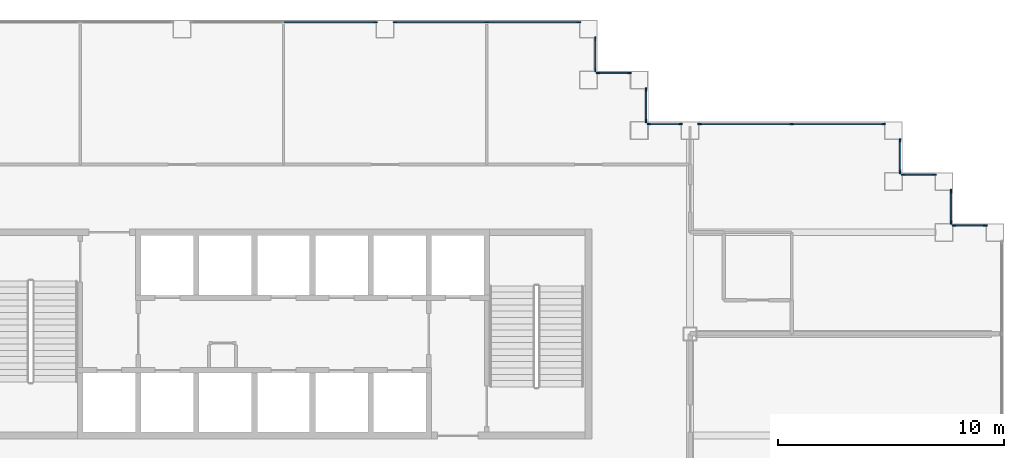
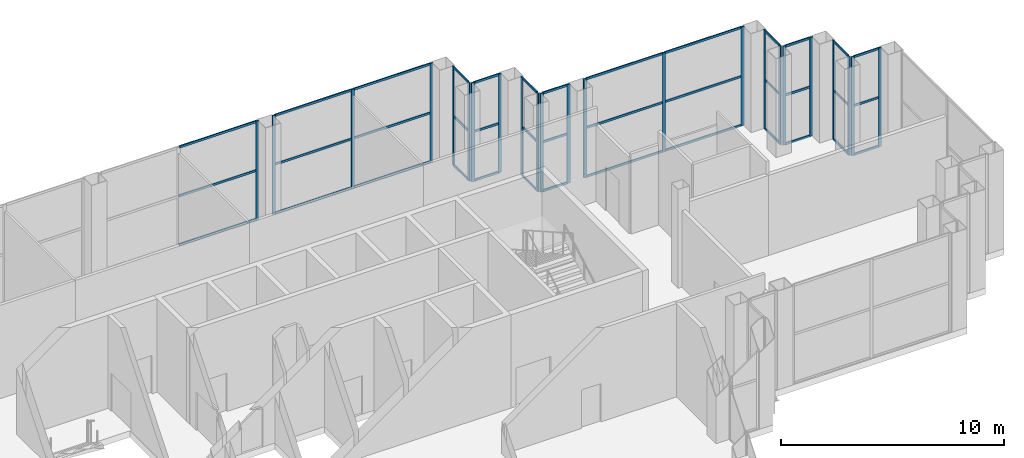
# One storey, part 8 of 18: 62 members, 11 elements without a shape of their own.
"""IFC4 building model written with IfcOpenShell, lengths in metres."""

from ifc_helpers import new_model, si_unit, direction, frame, origin, origin_2d, place, context, subcontext, project, spatial, rectangle, extrude, material, layer, layer_set, material_profile, profile_set, type_object, element, aggregate, save


model = new_model("IFC4")

# Units and contexts
model_context = context("Model", 3, precision=1e-05, world=origin(), true_north=direction((0.0, 1.0)))
body_context = subcontext(model_context, "Body", "Model", "MODEL_VIEW")
ifc_project = project(units=[si_unit("LENGTHUNIT", "METRE"), si_unit("AREAUNIT", "SQUARE_METRE"), si_unit("VOLUMEUNIT", "CUBIC_METRE"), si_unit("PLANEANGLEUNIT", "RADIAN"), si_unit("MASSUNIT", "GRAM", prefix="KILO")], contexts=[model_context])

# Site, building, storey
site_placement = place(None, origin())
site = spatial("IfcSite", under=ifc_project, at=site_placement, CompositionType="ELEMENT")
building_placement = place(site_placement, origin())
building = spatial("IfcBuilding", under=site, at=building_placement, Name="Caravel Reach Hotel and Residences", CompositionType="ELEMENT")
storey_placement = place(building_placement, frame((0.0, 0.0, 145.199951171875)))
storey = spatial("IfcBuildingStorey", under=building, at=storey_placement, Name="L36", CompositionType="ELEMENT", Elevation=145.199951171875)

# Curtain wall, members
ifc_material_1 = material(Name="Dark low-e glazing in black aluminium frame", Category="aluminium")
ifc_layer = layer(ifc_material_1, 0.199951171875)
ifc_layer_set = layer_set([ifc_layer], Name="CW2 Sky lobby glazing")
curtain_wall_type = type_object("IfcCurtainWallType", Name="CW2 Sky lobby glazing", PredefinedType="NOTDEFINED", material=ifc_layer_set)
curtain_wall_1_placement = place(storey_placement, origin())
curtain_wall_1 = element("IfcCurtainWall", 1, at=curtain_wall_1_placement, inside=storey, type_object=curtain_wall_type, Name="Sky lobby glazing b0", PredefinedType="NOTDEFINED")
ifc_material_2 = material(Name="Anodised aluminium alloy 6063-T5, black", Category="aluminium")
ifc_material_profile_1 = material_profile(ifc_material_2, rectangle(XDim=0.06005859375, YDim=0.159912109375, at=origin_2d()), Name="CW mullion 60 x 160")
ifc_profile_set_1 = profile_set([ifc_material_profile_1], Name="Anodised aluminium alloy 6063-T5, black")
member_type_1 = type_object("IfcMemberType", Name="CW mullion 60 x 160", PredefinedType="MULLION", material=ifc_profile_set_1)
member_1_placement = place(storey_placement, frame((62.570068359375, 31.800048828125, 0.0), z_axis=(0.0, 0.0, 1.0), x_axis=(0.0, -1.0, 0.0)))
member_1 = element("IfcMember", 2, at=member_1_placement, type_object=member_type_1, Name="CW2 mullion 1", PredefinedType="MULLION", context=body_context, shape_type="SweptSolid", body=[
    extrude(rectangle(XDim=0.06005859375, YDim=0.159912109375, at=origin_2d()), origin(), (0.0, 0.0, 1.0), 5.400146484375),
])
member_2_placement = place(storey_placement, frame((61.179931640625, 31.800048828125, 0.0), z_axis=(0.0, 0.0, 1.0), x_axis=(0.0, -1.0, 0.0)))
member_2 = element("IfcMember", 3, at=member_2_placement, type_object=member_type_1, Name="CW2 mullion 2", PredefinedType="MULLION", context=body_context, shape_type="SweptSolid", body=[
    extrude(rectangle(XDim=0.06005859375, YDim=0.159912109375, at=origin_2d()), origin(), (0.0, 0.0, 1.0), 5.400146484375),
])

curtain_wall_2_placement = place(storey_placement, origin())
curtain_wall_2 = element("IfcCurtainWall", 4, at=curtain_wall_2_placement, inside=storey, type_object=curtain_wall_type, Name="Sky lobby glazing b0", PredefinedType="NOTDEFINED")
member_3_placement = place(storey_placement, frame((61.050048828125, 31.929931640625, 0.0), z_axis=(0.0, 0.0, 1.0), x_axis=(-1.0, 0.0, 0.0)))
member_3 = element("IfcMember", 5, at=member_3_placement, type_object=member_type_1, Name="CW2 mullion 1", PredefinedType="MULLION", context=body_context, shape_type="SweptSolid", body=[
    extrude(rectangle(XDim=0.06005859375, YDim=0.159912109375, at=origin_2d()), origin(), (0.0, 0.0, 1.0), 5.400146484375),
])
member_4_placement = place(storey_placement, frame((61.050048828125, 33.320068359375, 0.0), z_axis=(0.0, 0.0, 1.0), x_axis=(-1.0, 0.0, 0.0)))
member_4 = element("IfcMember", 6, at=member_4_placement, type_object=member_type_1, Name="CW2 mullion 2", PredefinedType="MULLION", context=body_context, shape_type="SweptSolid", body=[
    extrude(rectangle(XDim=0.06005859375, YDim=0.159912109375, at=origin_2d()), origin(), (0.0, 0.0, 1.0), 5.400146484375),
])

curtain_wall_3_placement = place(storey_placement, origin())
curtain_wall_3 = element("IfcCurtainWall", 7, at=curtain_wall_3_placement, inside=storey, type_object=curtain_wall_type, Name="Sky lobby glazing b0", PredefinedType="NOTDEFINED")
member_5_placement = place(storey_placement, frame((60.320068359375, 34.050048828125, 0.0), z_axis=(0.0, 0.0, 1.0), x_axis=(0.0, -1.0, 0.0)))
member_5 = element("IfcMember", 8, at=member_5_placement, type_object=member_type_1, Name="CW2 mullion 1", PredefinedType="MULLION", context=body_context, shape_type="SweptSolid", body=[
    extrude(rectangle(XDim=0.06005859375, YDim=0.159912109375, at=origin_2d()), origin(), (0.0, 0.0, 1.0), 5.400146484375),
])
member_6_placement = place(storey_placement, frame((58.929931640625, 34.050048828125, 0.0), z_axis=(0.0, 0.0, 1.0), x_axis=(0.0, -1.0, 0.0)))
member_6 = element("IfcMember", 9, at=member_6_placement, type_object=member_type_1, Name="CW2 mullion 2", PredefinedType="MULLION", context=body_context, shape_type="SweptSolid", body=[
    extrude(rectangle(XDim=0.06005859375, YDim=0.159912109375, at=origin_2d()), origin(), (0.0, 0.0, 1.0), 5.400146484375),
])

curtain_wall_4_placement = place(storey_placement, origin())
curtain_wall_4 = element("IfcCurtainWall", 10, at=curtain_wall_4_placement, inside=storey, type_object=curtain_wall_type, Name="Sky lobby glazing b0", PredefinedType="NOTDEFINED")
member_7_placement = place(storey_placement, frame((58.800048828125, 34.179931640625, 0.0), z_axis=(0.0, 0.0, 1.0), x_axis=(-1.0, 0.0, 0.0)))
member_7 = element("IfcMember", 11, at=member_7_placement, type_object=member_type_1, Name="CW2 mullion 1", PredefinedType="MULLION", context=body_context, shape_type="SweptSolid", body=[
    extrude(rectangle(XDim=0.06005859375, YDim=0.159912109375, at=origin_2d()), origin(), (0.0, 0.0, 1.0), 5.400146484375),
])
member_8_placement = place(storey_placement, frame((58.800048828125, 35.570068359375, 0.0), z_axis=(0.0, 0.0, 1.0), x_axis=(-1.0, 0.0, 0.0)))
member_8 = element("IfcMember", 12, at=member_8_placement, type_object=member_type_1, Name="CW2 mullion 2", PredefinedType="MULLION", context=body_context, shape_type="SweptSolid", body=[
    extrude(rectangle(XDim=0.06005859375, YDim=0.159912109375, at=origin_2d()), origin(), (0.0, 0.0, 1.0), 5.400146484375),
])

curtain_wall_5_placement = place(storey_placement, origin())
curtain_wall_5 = element("IfcCurtainWall", 13, at=curtain_wall_5_placement, inside=storey, type_object=curtain_wall_type, Name="Sky lobby glazing b0", PredefinedType="NOTDEFINED")
member_9_placement = place(storey_placement, frame((58.070068359375, 36.300048828125, 0.0), z_axis=(0.0, 0.0, 1.0), x_axis=(0.0, -1.0, 0.0)))
member_9 = element("IfcMember", 14, at=member_9_placement, type_object=member_type_1, Name="CW2 mullion 1", PredefinedType="MULLION", context=body_context, shape_type="SweptSolid", body=[
    extrude(rectangle(XDim=0.06005859375, YDim=0.159912109375, at=origin_2d()), origin(), (0.0, 0.0, 1.0), 5.400146484375),
])
member_10_placement = place(storey_placement, frame((54.0, 36.300048828125, 0.0), z_axis=(0.0, 0.0, 1.0), x_axis=(0.0, -1.0, 0.0)))
member_10 = element("IfcMember", 15, at=member_10_placement, type_object=member_type_1, Name="CW2 mullion 2", PredefinedType="MULLION", context=body_context, shape_type="SweptSolid", body=[
    extrude(rectangle(XDim=0.06005859375, YDim=0.159912109375, at=origin_2d()), origin(), (0.0, 0.0, 1.0), 5.400146484375),
])
member_11_placement = place(storey_placement, frame((49.929931640625, 36.300048828125, 0.0), z_axis=(0.0, 0.0, 1.0), x_axis=(0.0, -1.0, 0.0)))
member_11 = element("IfcMember", 16, at=member_11_placement, type_object=member_type_1, Name="CW2 mullion 3", PredefinedType="MULLION", context=body_context, shape_type="SweptSolid", body=[
    extrude(rectangle(XDim=0.06005859375, YDim=0.159912109375, at=origin_2d()), origin(), (0.0, 0.0, 1.0), 5.400146484375),
])

curtain_wall_6_placement = place(storey_placement, origin())
curtain_wall_6 = element("IfcCurtainWall", 17, at=curtain_wall_6_placement, inside=storey, type_object=curtain_wall_type, Name="Sky lobby glazing b1", PredefinedType="NOTDEFINED")
member_12_placement = place(storey_placement, frame((49.070068359375, 36.300048828125, 0.0), z_axis=(0.0, 0.0, 1.0), x_axis=(0.0, -1.0, 0.0)))
member_12 = element("IfcMember", 18, at=member_12_placement, type_object=member_type_1, Name="CW2 mullion 1", PredefinedType="MULLION", context=body_context, shape_type="SweptSolid", body=[
    extrude(rectangle(XDim=0.06005859375, YDim=0.159912109375, at=origin_2d()), origin(), (0.0, 0.0, 1.0), 5.400146484375),
])
member_13_placement = place(storey_placement, frame((47.679931640625, 36.300048828125, 0.0), z_axis=(0.0, 0.0, 1.0), x_axis=(0.0, -1.0, 0.0)))
member_13 = element("IfcMember", 19, at=member_13_placement, type_object=member_type_1, Name="CW2 mullion 2", PredefinedType="MULLION", context=body_context, shape_type="SweptSolid", body=[
    extrude(rectangle(XDim=0.06005859375, YDim=0.159912109375, at=origin_2d()), origin(), (0.0, 0.0, 1.0), 5.400146484375),
])

curtain_wall_7_placement = place(storey_placement, origin())
curtain_wall_7 = element("IfcCurtainWall", 20, at=curtain_wall_7_placement, inside=storey, type_object=curtain_wall_type, Name="Sky lobby glazing b0", PredefinedType="NOTDEFINED")
member_14_placement = place(storey_placement, frame((47.550048828125, 36.429931640625, 0.0), z_axis=(0.0, 0.0, 1.0), x_axis=(-1.0, 0.0, 0.0)))
member_14 = element("IfcMember", 21, at=member_14_placement, type_object=member_type_1, Name="CW2 mullion 1", PredefinedType="MULLION", context=body_context, shape_type="SweptSolid", body=[
    extrude(rectangle(XDim=0.06005859375, YDim=0.159912109375, at=origin_2d()), origin(), (0.0, 0.0, 1.0), 5.400146484375),
])
member_15_placement = place(storey_placement, frame((47.550048828125, 37.820068359375, 0.0), z_axis=(0.0, 0.0, 1.0), x_axis=(-1.0, 0.0, 0.0)))
member_15 = element("IfcMember", 22, at=member_15_placement, type_object=member_type_1, Name="CW2 mullion 2", PredefinedType="MULLION", context=body_context, shape_type="SweptSolid", body=[
    extrude(rectangle(XDim=0.06005859375, YDim=0.159912109375, at=origin_2d()), origin(), (0.0, 0.0, 1.0), 5.400146484375),
])

curtain_wall_8_placement = place(storey_placement, origin())
curtain_wall_8 = element("IfcCurtainWall", 23, at=curtain_wall_8_placement, inside=storey, type_object=curtain_wall_type, Name="Sky lobby glazing b0", PredefinedType="NOTDEFINED")
member_16_placement = place(storey_placement, frame((46.820068359375, 38.550048828125, 0.0), z_axis=(0.0, 0.0, 1.0), x_axis=(0.0, -1.0, 0.0)))
member_16 = element("IfcMember", 24, at=member_16_placement, type_object=member_type_1, Name="CW2 mullion 1", PredefinedType="MULLION", context=body_context, shape_type="SweptSolid", body=[
    extrude(rectangle(XDim=0.06005859375, YDim=0.159912109375, at=origin_2d()), origin(), (0.0, 0.0, 1.0), 5.400146484375),
])
member_17_placement = place(storey_placement, frame((45.429931640625, 38.550048828125, 0.0), z_axis=(0.0, 0.0, 1.0), x_axis=(0.0, -1.0, 0.0)))
member_17 = element("IfcMember", 25, at=member_17_placement, type_object=member_type_1, Name="CW2 mullion 2", PredefinedType="MULLION", context=body_context, shape_type="SweptSolid", body=[
    extrude(rectangle(XDim=0.06005859375, YDim=0.159912109375, at=origin_2d()), origin(), (0.0, 0.0, 1.0), 5.400146484375),
])

curtain_wall_9_placement = place(storey_placement, origin())
curtain_wall_9 = element("IfcCurtainWall", 26, at=curtain_wall_9_placement, inside=storey, type_object=curtain_wall_type, Name="Sky lobby glazing b0", PredefinedType="NOTDEFINED")
member_18_placement = place(storey_placement, frame((45.300048828125, 38.679931640625, 0.0), z_axis=(0.0, 0.0, 1.0), x_axis=(-1.0, 0.0, 0.0)))
member_18 = element("IfcMember", 27, at=member_18_placement, type_object=member_type_1, Name="CW2 mullion 1", PredefinedType="MULLION", context=body_context, shape_type="SweptSolid", body=[
    extrude(rectangle(XDim=0.06005859375, YDim=0.159912109375, at=origin_2d()), origin(), (0.0, 0.0, 1.0), 5.400146484375),
])
member_19_placement = place(storey_placement, frame((45.300048828125, 40.070068359375, 0.0), z_axis=(0.0, 0.0, 1.0), x_axis=(-1.0, 0.0, 0.0)))
member_19 = element("IfcMember", 28, at=member_19_placement, type_object=member_type_1, Name="CW2 mullion 2", PredefinedType="MULLION", context=body_context, shape_type="SweptSolid", body=[
    extrude(rectangle(XDim=0.06005859375, YDim=0.159912109375, at=origin_2d()), origin(), (0.0, 0.0, 1.0), 5.400146484375),
])

curtain_wall_10_placement = place(storey_placement, origin())
curtain_wall_10 = element("IfcCurtainWall", 29, at=curtain_wall_10_placement, inside=storey, type_object=curtain_wall_type, Name="Sky lobby glazing b0", PredefinedType="NOTDEFINED")
member_20_placement = place(storey_placement, frame((44.570068359375, 40.800048828125, 0.0), z_axis=(0.0, 0.0, 1.0), x_axis=(0.0, -1.0, 0.0)))
member_20 = element("IfcMember", 30, at=member_20_placement, type_object=member_type_1, Name="CW2 mullion 1", PredefinedType="MULLION", context=body_context, shape_type="SweptSolid", body=[
    extrude(rectangle(XDim=0.06005859375, YDim=0.159912109375, at=origin_2d()), origin(), (0.0, 0.0, 1.0), 5.400146484375),
])
member_21_placement = place(storey_placement, frame((40.5, 40.800048828125, 0.0), z_axis=(0.0, 0.0, 1.0), x_axis=(0.0, -1.0, 0.0)))
member_21 = element("IfcMember", 31, at=member_21_placement, type_object=member_type_1, Name="CW2 mullion 2", PredefinedType="MULLION", context=body_context, shape_type="SweptSolid", body=[
    extrude(rectangle(XDim=0.06005859375, YDim=0.159912109375, at=origin_2d()), origin(), (0.0, 0.0, 1.0), 5.400146484375),
])
member_22_placement = place(storey_placement, frame((36.429931640625, 40.800048828125, 0.0), z_axis=(0.0, 0.0, 1.0), x_axis=(0.0, -1.0, 0.0)))
member_22 = element("IfcMember", 32, at=member_22_placement, type_object=member_type_1, Name="CW2 mullion 3", PredefinedType="MULLION", context=body_context, shape_type="SweptSolid", body=[
    extrude(rectangle(XDim=0.06005859375, YDim=0.159912109375, at=origin_2d()), origin(), (0.0, 0.0, 1.0), 5.400146484375),
])

# Curtain wall, member
curtain_wall_11_placement = place(storey_placement, origin())
curtain_wall_11 = element("IfcCurtainWall", 33, at=curtain_wall_11_placement, inside=storey, type_object=curtain_wall_type, Name="Sky lobby glazing b1", PredefinedType="NOTDEFINED")
member_23_placement = place(storey_placement, frame((35.570068359375, 40.800048828125, 0.0), z_axis=(0.0, 0.0, 1.0), x_axis=(0.0, -1.0, 0.0)))
member_23 = element("IfcMember", 34, at=member_23_placement, type_object=member_type_1, Name="CW2 mullion 1", PredefinedType="MULLION", context=body_context, shape_type="SweptSolid", body=[
    extrude(rectangle(XDim=0.06005859375, YDim=0.159912109375, at=origin_2d()), origin(), (0.0, 0.0, 1.0), 5.400146484375),
])

# Member
ifc_material_3 = material(Name="Anodised aluminium alloy 6063-T5, black", Category="aluminium")
ifc_material_profile_2 = material_profile(ifc_material_3, rectangle(XDim=0.06005859375, YDim=0.1201171875, at=origin_2d()), Name="CW transom 60 x 120")
ifc_profile_set_2 = profile_set([ifc_material_profile_2], Name="Anodised aluminium alloy 6063-T5, black")
member_type_2 = type_object("IfcMemberType", Name="CW transom 60 x 120", PredefinedType="USERDEFINED", material=ifc_profile_set_2)
member_24_placement = place(storey_placement, frame((62.5400390625, 31.800048828125, 0.030029296875), z_axis=(-1.0, 0.0, 0.0), x_axis=(0.0, -1.0, 0.0)))
member_24 = element("IfcMember", 35, at=member_24_placement, type_object=member_type_2, Name="CW2 transom 1.1", ObjectType="TRANSOM", PredefinedType="USERDEFINED", context=body_context, shape_type="SweptSolid", body=[
    extrude(rectangle(XDim=0.06005859375, YDim=0.1201171875, at=origin_2d()), origin(), (0.0, 0.0, 1.0), 1.330078125),
])

member_25_placement = place(storey_placement, frame((62.5400390625, 31.800048828125, 2.699951171875), z_axis=(-1.0, 0.0, 0.0), x_axis=(0.0, -1.0, 0.0)))
member_25 = element("IfcMember", 36, at=member_25_placement, type_object=member_type_2, Name="CW2 transom 1.2", ObjectType="TRANSOM", PredefinedType="USERDEFINED", context=body_context, shape_type="SweptSolid", body=[
    extrude(rectangle(XDim=0.06005859375, YDim=0.1201171875, at=origin_2d()), origin(), (0.0, 0.0, 1.0), 1.330078125),
])

member_26_placement = place(storey_placement, frame((62.5400390625, 31.800048828125, 5.3701171875), z_axis=(-1.0, 0.0, 0.0), x_axis=(0.0, -1.0, 0.0)))
member_26 = element("IfcMember", 37, at=member_26_placement, type_object=member_type_2, Name="CW2 transom 1.3", ObjectType="TRANSOM", PredefinedType="USERDEFINED", context=body_context, shape_type="SweptSolid", body=[
    extrude(rectangle(XDim=0.06005859375, YDim=0.1201171875, at=origin_2d()), origin(), (0.0, 0.0, 1.0), 1.330078125),
])

aggregate(curtain_wall_1, [member_1, member_2, member_24, member_25, member_26])

member_27_placement = place(storey_placement, frame((61.050048828125, 31.9599609375, 0.030029296875), z_axis=(0.0, 1.0, 0.0), x_axis=(-1.0, 0.0, 0.0)))
member_27 = element("IfcMember", 38, at=member_27_placement, type_object=member_type_2, Name="CW2 transom 1.1", ObjectType="TRANSOM", PredefinedType="USERDEFINED", context=body_context, shape_type="SweptSolid", body=[
    extrude(rectangle(XDim=0.06005859375, YDim=0.1201171875, at=origin_2d()), origin(), (0.0, 0.0, 1.0), 1.330078125),
])

member_28_placement = place(storey_placement, frame((61.050048828125, 31.9599609375, 2.699951171875), z_axis=(0.0, 1.0, 0.0), x_axis=(-1.0, 0.0, 0.0)))
member_28 = element("IfcMember", 39, at=member_28_placement, type_object=member_type_2, Name="CW2 transom 1.2", ObjectType="TRANSOM", PredefinedType="USERDEFINED", context=body_context, shape_type="SweptSolid", body=[
    extrude(rectangle(XDim=0.06005859375, YDim=0.1201171875, at=origin_2d()), origin(), (0.0, 0.0, 1.0), 1.330078125),
])

member_29_placement = place(storey_placement, frame((61.050048828125, 31.9599609375, 5.3701171875), z_axis=(0.0, 1.0, 0.0), x_axis=(-1.0, 0.0, 0.0)))
member_29 = element("IfcMember", 40, at=member_29_placement, type_object=member_type_2, Name="CW2 transom 1.3", ObjectType="TRANSOM", PredefinedType="USERDEFINED", context=body_context, shape_type="SweptSolid", body=[
    extrude(rectangle(XDim=0.06005859375, YDim=0.1201171875, at=origin_2d()), origin(), (0.0, 0.0, 1.0), 1.330078125),
])

aggregate(curtain_wall_2, [member_3, member_4, member_27, member_28, member_29])

member_30_placement = place(storey_placement, frame((60.2900390625, 34.050048828125, 0.030029296875), z_axis=(-1.0, 0.0, 0.0), x_axis=(0.0, -1.0, 0.0)))
member_30 = element("IfcMember", 41, at=member_30_placement, type_object=member_type_2, Name="CW2 transom 1.1", ObjectType="TRANSOM", PredefinedType="USERDEFINED", context=body_context, shape_type="SweptSolid", body=[
    extrude(rectangle(XDim=0.06005859375, YDim=0.1201171875, at=origin_2d()), origin(), (0.0, 0.0, 1.0), 1.330078125),
])

member_31_placement = place(storey_placement, frame((60.2900390625, 34.050048828125, 2.699951171875), z_axis=(-1.0, 0.0, 0.0), x_axis=(0.0, -1.0, 0.0)))
member_31 = element("IfcMember", 42, at=member_31_placement, type_object=member_type_2, Name="CW2 transom 1.2", ObjectType="TRANSOM", PredefinedType="USERDEFINED", context=body_context, shape_type="SweptSolid", body=[
    extrude(rectangle(XDim=0.06005859375, YDim=0.1201171875, at=origin_2d()), origin(), (0.0, 0.0, 1.0), 1.330078125),
])

member_32_placement = place(storey_placement, frame((60.2900390625, 34.050048828125, 5.3701171875), z_axis=(-1.0, 0.0, 0.0), x_axis=(0.0, -1.0, 0.0)))
member_32 = element("IfcMember", 43, at=member_32_placement, type_object=member_type_2, Name="CW2 transom 1.3", ObjectType="TRANSOM", PredefinedType="USERDEFINED", context=body_context, shape_type="SweptSolid", body=[
    extrude(rectangle(XDim=0.06005859375, YDim=0.1201171875, at=origin_2d()), origin(), (0.0, 0.0, 1.0), 1.330078125),
])

aggregate(curtain_wall_3, [member_5, member_6, member_30, member_31, member_32])

member_33_placement = place(storey_placement, frame((58.800048828125, 34.2099609375, 0.030029296875), z_axis=(0.0, 1.0, 0.0), x_axis=(-1.0, 0.0, 0.0)))
member_33 = element("IfcMember", 44, at=member_33_placement, type_object=member_type_2, Name="CW2 transom 1.1", ObjectType="TRANSOM", PredefinedType="USERDEFINED", context=body_context, shape_type="SweptSolid", body=[
    extrude(rectangle(XDim=0.06005859375, YDim=0.1201171875, at=origin_2d()), origin(), (0.0, 0.0, 1.0), 1.330078125),
])

member_34_placement = place(storey_placement, frame((58.800048828125, 34.2099609375, 2.699951171875), z_axis=(0.0, 1.0, 0.0), x_axis=(-1.0, 0.0, 0.0)))
member_34 = element("IfcMember", 45, at=member_34_placement, type_object=member_type_2, Name="CW2 transom 1.2", ObjectType="TRANSOM", PredefinedType="USERDEFINED", context=body_context, shape_type="SweptSolid", body=[
    extrude(rectangle(XDim=0.06005859375, YDim=0.1201171875, at=origin_2d()), origin(), (0.0, 0.0, 1.0), 1.330078125),
])

member_35_placement = place(storey_placement, frame((58.800048828125, 34.2099609375, 5.3701171875), z_axis=(0.0, 1.0, 0.0), x_axis=(-1.0, 0.0, 0.0)))
member_35 = element("IfcMember", 46, at=member_35_placement, type_object=member_type_2, Name="CW2 transom 1.3", ObjectType="TRANSOM", PredefinedType="USERDEFINED", context=body_context, shape_type="SweptSolid", body=[
    extrude(rectangle(XDim=0.06005859375, YDim=0.1201171875, at=origin_2d()), origin(), (0.0, 0.0, 1.0), 1.330078125),
])

aggregate(curtain_wall_4, [member_7, member_8, member_33, member_34, member_35])

member_36_placement = place(storey_placement, frame((58.0400390625, 36.300048828125, 0.030029296875), z_axis=(-1.0, 0.0, 0.0), x_axis=(0.0, -1.0, 0.0)))
member_36 = element("IfcMember", 47, at=member_36_placement, type_object=member_type_2, Name="CW2 transom 1.1", ObjectType="TRANSOM", PredefinedType="USERDEFINED", context=body_context, shape_type="SweptSolid", body=[
    extrude(rectangle(XDim=0.06005859375, YDim=0.1201171875, at=origin_2d()), origin(), (0.0, 0.0, 1.0), 4.010009765625),
])

member_37_placement = place(storey_placement, frame((58.0400390625, 36.300048828125, 2.699951171875), z_axis=(-1.0, 0.0, 0.0), x_axis=(0.0, -1.0, 0.0)))
member_37 = element("IfcMember", 48, at=member_37_placement, type_object=member_type_2, Name="CW2 transom 1.2", ObjectType="TRANSOM", PredefinedType="USERDEFINED", context=body_context, shape_type="SweptSolid", body=[
    extrude(rectangle(XDim=0.06005859375, YDim=0.1201171875, at=origin_2d()), origin(), (0.0, 0.0, 1.0), 4.010009765625),
])

member_38_placement = place(storey_placement, frame((58.0400390625, 36.300048828125, 5.3701171875), z_axis=(-1.0, 0.0, 0.0), x_axis=(0.0, -1.0, 0.0)))
member_38 = element("IfcMember", 49, at=member_38_placement, type_object=member_type_2, Name="CW2 transom 1.3", ObjectType="TRANSOM", PredefinedType="USERDEFINED", context=body_context, shape_type="SweptSolid", body=[
    extrude(rectangle(XDim=0.06005859375, YDim=0.1201171875, at=origin_2d()), origin(), (0.0, 0.0, 1.0), 4.010009765625),
])

member_39_placement = place(storey_placement, frame((53.969970703125, 36.300048828125, 0.030029296875), z_axis=(-1.0, 0.0, 0.0), x_axis=(0.0, -1.0, 0.0)))
member_39 = element("IfcMember", 50, at=member_39_placement, type_object=member_type_2, Name="CW2 transom 2.1", ObjectType="TRANSOM", PredefinedType="USERDEFINED", context=body_context, shape_type="SweptSolid", body=[
    extrude(rectangle(XDim=0.06005859375, YDim=0.1201171875, at=origin_2d()), origin(), (0.0, 0.0, 1.0), 4.010009765625),
])

member_40_placement = place(storey_placement, frame((53.969970703125, 36.300048828125, 2.699951171875), z_axis=(-1.0, 0.0, 0.0), x_axis=(0.0, -1.0, 0.0)))
member_40 = element("IfcMember", 51, at=member_40_placement, type_object=member_type_2, Name="CW2 transom 2.2", ObjectType="TRANSOM", PredefinedType="USERDEFINED", context=body_context, shape_type="SweptSolid", body=[
    extrude(rectangle(XDim=0.06005859375, YDim=0.1201171875, at=origin_2d()), origin(), (0.0, 0.0, 1.0), 4.010009765625),
])

member_41_placement = place(storey_placement, frame((53.969970703125, 36.300048828125, 5.3701171875), z_axis=(-1.0, 0.0, 0.0), x_axis=(0.0, -1.0, 0.0)))
member_41 = element("IfcMember", 52, at=member_41_placement, type_object=member_type_2, Name="CW2 transom 2.3", ObjectType="TRANSOM", PredefinedType="USERDEFINED", context=body_context, shape_type="SweptSolid", body=[
    extrude(rectangle(XDim=0.06005859375, YDim=0.1201171875, at=origin_2d()), origin(), (0.0, 0.0, 1.0), 4.010009765625),
])

aggregate(curtain_wall_5, [member_9, member_10, member_11, member_36, member_37, member_38, member_39, member_40, member_41])

member_42_placement = place(storey_placement, frame((49.0400390625, 36.300048828125, 0.030029296875), z_axis=(-1.0, 0.0, 0.0), x_axis=(0.0, -1.0, 0.0)))
member_42 = element("IfcMember", 53, at=member_42_placement, type_object=member_type_2, Name="CW2 transom 1.1", ObjectType="TRANSOM", PredefinedType="USERDEFINED", context=body_context, shape_type="SweptSolid", body=[
    extrude(rectangle(XDim=0.06005859375, YDim=0.1201171875, at=origin_2d()), origin(), (0.0, 0.0, 1.0), 1.330078125),
])

member_43_placement = place(storey_placement, frame((49.0400390625, 36.300048828125, 2.699951171875), z_axis=(-1.0, 0.0, 0.0), x_axis=(0.0, -1.0, 0.0)))
member_43 = element("IfcMember", 54, at=member_43_placement, type_object=member_type_2, Name="CW2 transom 1.2", ObjectType="TRANSOM", PredefinedType="USERDEFINED", context=body_context, shape_type="SweptSolid", body=[
    extrude(rectangle(XDim=0.06005859375, YDim=0.1201171875, at=origin_2d()), origin(), (0.0, 0.0, 1.0), 1.330078125),
])

member_44_placement = place(storey_placement, frame((49.0400390625, 36.300048828125, 5.3701171875), z_axis=(-1.0, 0.0, 0.0), x_axis=(0.0, -1.0, 0.0)))
member_44 = element("IfcMember", 55, at=member_44_placement, type_object=member_type_2, Name="CW2 transom 1.3", ObjectType="TRANSOM", PredefinedType="USERDEFINED", context=body_context, shape_type="SweptSolid", body=[
    extrude(rectangle(XDim=0.06005859375, YDim=0.1201171875, at=origin_2d()), origin(), (0.0, 0.0, 1.0), 1.330078125),
])

aggregate(curtain_wall_6, [member_12, member_13, member_42, member_43, member_44])

member_45_placement = place(storey_placement, frame((47.550048828125, 36.4599609375, 0.030029296875), z_axis=(0.0, 1.0, 0.0), x_axis=(-1.0, 0.0, 0.0)))
member_45 = element("IfcMember", 56, at=member_45_placement, type_object=member_type_2, Name="CW2 transom 1.1", ObjectType="TRANSOM", PredefinedType="USERDEFINED", context=body_context, shape_type="SweptSolid", body=[
    extrude(rectangle(XDim=0.06005859375, YDim=0.1201171875, at=origin_2d()), origin(), (0.0, 0.0, 1.0), 1.330078125),
])

member_46_placement = place(storey_placement, frame((47.550048828125, 36.4599609375, 2.699951171875), z_axis=(0.0, 1.0, 0.0), x_axis=(-1.0, 0.0, 0.0)))
member_46 = element("IfcMember", 57, at=member_46_placement, type_object=member_type_2, Name="CW2 transom 1.2", ObjectType="TRANSOM", PredefinedType="USERDEFINED", context=body_context, shape_type="SweptSolid", body=[
    extrude(rectangle(XDim=0.06005859375, YDim=0.1201171875, at=origin_2d()), origin(), (0.0, 0.0, 1.0), 1.330078125),
])

member_47_placement = place(storey_placement, frame((47.550048828125, 36.4599609375, 5.3701171875), z_axis=(0.0, 1.0, 0.0), x_axis=(-1.0, 0.0, 0.0)))
member_47 = element("IfcMember", 58, at=member_47_placement, type_object=member_type_2, Name="CW2 transom 1.3", ObjectType="TRANSOM", PredefinedType="USERDEFINED", context=body_context, shape_type="SweptSolid", body=[
    extrude(rectangle(XDim=0.06005859375, YDim=0.1201171875, at=origin_2d()), origin(), (0.0, 0.0, 1.0), 1.330078125),
])

aggregate(curtain_wall_7, [member_14, member_15, member_45, member_46, member_47])

member_48_placement = place(storey_placement, frame((46.7900390625, 38.550048828125, 0.030029296875), z_axis=(-1.0, 0.0, 0.0), x_axis=(0.0, -1.0, 0.0)))
member_48 = element("IfcMember", 59, at=member_48_placement, type_object=member_type_2, Name="CW2 transom 1.1", ObjectType="TRANSOM", PredefinedType="USERDEFINED", context=body_context, shape_type="SweptSolid", body=[
    extrude(rectangle(XDim=0.06005859375, YDim=0.1201171875, at=origin_2d()), origin(), (0.0, 0.0, 1.0), 1.330078125),
])

member_49_placement = place(storey_placement, frame((46.7900390625, 38.550048828125, 2.699951171875), z_axis=(-1.0, 0.0, 0.0), x_axis=(0.0, -1.0, 0.0)))
member_49 = element("IfcMember", 60, at=member_49_placement, type_object=member_type_2, Name="CW2 transom 1.2", ObjectType="TRANSOM", PredefinedType="USERDEFINED", context=body_context, shape_type="SweptSolid", body=[
    extrude(rectangle(XDim=0.06005859375, YDim=0.1201171875, at=origin_2d()), origin(), (0.0, 0.0, 1.0), 1.330078125),
])

member_50_placement = place(storey_placement, frame((46.7900390625, 38.550048828125, 5.3701171875), z_axis=(-1.0, 0.0, 0.0), x_axis=(0.0, -1.0, 0.0)))
member_50 = element("IfcMember", 61, at=member_50_placement, type_object=member_type_2, Name="CW2 transom 1.3", ObjectType="TRANSOM", PredefinedType="USERDEFINED", context=body_context, shape_type="SweptSolid", body=[
    extrude(rectangle(XDim=0.06005859375, YDim=0.1201171875, at=origin_2d()), origin(), (0.0, 0.0, 1.0), 1.330078125),
])

aggregate(curtain_wall_8, [member_16, member_17, member_48, member_49, member_50])

member_51_placement = place(storey_placement, frame((45.300048828125, 38.7099609375, 0.030029296875), z_axis=(0.0, 1.0, 0.0), x_axis=(-1.0, 0.0, 0.0)))
member_51 = element("IfcMember", 62, at=member_51_placement, type_object=member_type_2, Name="CW2 transom 1.1", ObjectType="TRANSOM", PredefinedType="USERDEFINED", context=body_context, shape_type="SweptSolid", body=[
    extrude(rectangle(XDim=0.06005859375, YDim=0.1201171875, at=origin_2d()), origin(), (0.0, 0.0, 1.0), 1.330078125),
])

member_52_placement = place(storey_placement, frame((45.300048828125, 38.7099609375, 2.699951171875), z_axis=(0.0, 1.0, 0.0), x_axis=(-1.0, 0.0, 0.0)))
member_52 = element("IfcMember", 63, at=member_52_placement, type_object=member_type_2, Name="CW2 transom 1.2", ObjectType="TRANSOM", PredefinedType="USERDEFINED", context=body_context, shape_type="SweptSolid", body=[
    extrude(rectangle(XDim=0.06005859375, YDim=0.1201171875, at=origin_2d()), origin(), (0.0, 0.0, 1.0), 1.330078125),
])

member_53_placement = place(storey_placement, frame((45.300048828125, 38.7099609375, 5.3701171875), z_axis=(0.0, 1.0, 0.0), x_axis=(-1.0, 0.0, 0.0)))
member_53 = element("IfcMember", 64, at=member_53_placement, type_object=member_type_2, Name="CW2 transom 1.3", ObjectType="TRANSOM", PredefinedType="USERDEFINED", context=body_context, shape_type="SweptSolid", body=[
    extrude(rectangle(XDim=0.06005859375, YDim=0.1201171875, at=origin_2d()), origin(), (0.0, 0.0, 1.0), 1.330078125),
])

aggregate(curtain_wall_9, [member_18, member_19, member_51, member_52, member_53])

member_54_placement = place(storey_placement, frame((44.5400390625, 40.800048828125, 0.030029296875), z_axis=(-1.0, 0.0, 0.0), x_axis=(0.0, -1.0, 0.0)))
member_54 = element("IfcMember", 65, at=member_54_placement, type_object=member_type_2, Name="CW2 transom 1.1", ObjectType="TRANSOM", PredefinedType="USERDEFINED", context=body_context, shape_type="SweptSolid", body=[
    extrude(rectangle(XDim=0.06005859375, YDim=0.1201171875, at=origin_2d()), origin(), (0.0, 0.0, 1.0), 4.010009765625),
])

member_55_placement = place(storey_placement, frame((44.5400390625, 40.800048828125, 2.699951171875), z_axis=(-1.0, 0.0, 0.0), x_axis=(0.0, -1.0, 0.0)))
member_55 = element("IfcMember", 66, at=member_55_placement, type_object=member_type_2, Name="CW2 transom 1.2", ObjectType="TRANSOM", PredefinedType="USERDEFINED", context=body_context, shape_type="SweptSolid", body=[
    extrude(rectangle(XDim=0.06005859375, YDim=0.1201171875, at=origin_2d()), origin(), (0.0, 0.0, 1.0), 4.010009765625),
])

member_56_placement = place(storey_placement, frame((44.5400390625, 40.800048828125, 5.3701171875), z_axis=(-1.0, 0.0, 0.0), x_axis=(0.0, -1.0, 0.0)))
member_56 = element("IfcMember", 67, at=member_56_placement, type_object=member_type_2, Name="CW2 transom 1.3", ObjectType="TRANSOM", PredefinedType="USERDEFINED", context=body_context, shape_type="SweptSolid", body=[
    extrude(rectangle(XDim=0.06005859375, YDim=0.1201171875, at=origin_2d()), origin(), (0.0, 0.0, 1.0), 4.010009765625),
])

member_57_placement = place(storey_placement, frame((40.469970703125, 40.800048828125, 0.030029296875), z_axis=(-1.0, 0.0, 0.0), x_axis=(0.0, -1.0, 0.0)))
member_57 = element("IfcMember", 68, at=member_57_placement, type_object=member_type_2, Name="CW2 transom 2.1", ObjectType="TRANSOM", PredefinedType="USERDEFINED", context=body_context, shape_type="SweptSolid", body=[
    extrude(rectangle(XDim=0.06005859375, YDim=0.1201171875, at=origin_2d()), origin(), (0.0, 0.0, 1.0), 4.010009765625),
])

member_58_placement = place(storey_placement, frame((40.469970703125, 40.800048828125, 2.699951171875), z_axis=(-1.0, 0.0, 0.0), x_axis=(0.0, -1.0, 0.0)))
member_58 = element("IfcMember", 69, at=member_58_placement, type_object=member_type_2, Name="CW2 transom 2.2", ObjectType="TRANSOM", PredefinedType="USERDEFINED", context=body_context, shape_type="SweptSolid", body=[
    extrude(rectangle(XDim=0.06005859375, YDim=0.1201171875, at=origin_2d()), origin(), (0.0, 0.0, 1.0), 4.010009765625),
])

member_59_placement = place(storey_placement, frame((40.469970703125, 40.800048828125, 5.3701171875), z_axis=(-1.0, 0.0, 0.0), x_axis=(0.0, -1.0, 0.0)))
member_59 = element("IfcMember", 70, at=member_59_placement, type_object=member_type_2, Name="CW2 transom 2.3", ObjectType="TRANSOM", PredefinedType="USERDEFINED", context=body_context, shape_type="SweptSolid", body=[
    extrude(rectangle(XDim=0.06005859375, YDim=0.1201171875, at=origin_2d()), origin(), (0.0, 0.0, 1.0), 4.010009765625),
])

aggregate(curtain_wall_10, [member_20, member_21, member_22, member_54, member_55, member_56, member_57, member_58, member_59])

member_60_placement = place(storey_placement, frame((35.5400390625, 40.800048828125, 0.030029296875), z_axis=(-1.0, 0.0, 0.0), x_axis=(0.0, -1.0, 0.0)))
member_60 = element("IfcMember", 71, at=member_60_placement, type_object=member_type_2, Name="CW2 transom 1.1", ObjectType="TRANSOM", PredefinedType="USERDEFINED", context=body_context, shape_type="SweptSolid", body=[
    extrude(rectangle(XDim=0.06005859375, YDim=0.1201171875, at=origin_2d()), origin(), (0.0, 0.0, 1.0), 4.010009765625),
])

member_61_placement = place(storey_placement, frame((35.5400390625, 40.800048828125, 2.699951171875), z_axis=(-1.0, 0.0, 0.0), x_axis=(0.0, -1.0, 0.0)))
member_61 = element("IfcMember", 72, at=member_61_placement, type_object=member_type_2, Name="CW2 transom 1.2", ObjectType="TRANSOM", PredefinedType="USERDEFINED", context=body_context, shape_type="SweptSolid", body=[
    extrude(rectangle(XDim=0.06005859375, YDim=0.1201171875, at=origin_2d()), origin(), (0.0, 0.0, 1.0), 4.010009765625),
])

member_62_placement = place(storey_placement, frame((35.5400390625, 40.800048828125, 5.3701171875), z_axis=(-1.0, 0.0, 0.0), x_axis=(0.0, -1.0, 0.0)))
member_62 = element("IfcMember", 73, at=member_62_placement, type_object=member_type_2, Name="CW2 transom 1.3", ObjectType="TRANSOM", PredefinedType="USERDEFINED", context=body_context, shape_type="SweptSolid", body=[
    extrude(rectangle(XDim=0.06005859375, YDim=0.1201171875, at=origin_2d()), origin(), (0.0, 0.0, 1.0), 4.010009765625),
])

aggregate(curtain_wall_11, [member_23, member_60, member_61, member_62])

save(model, "model.ifc")
